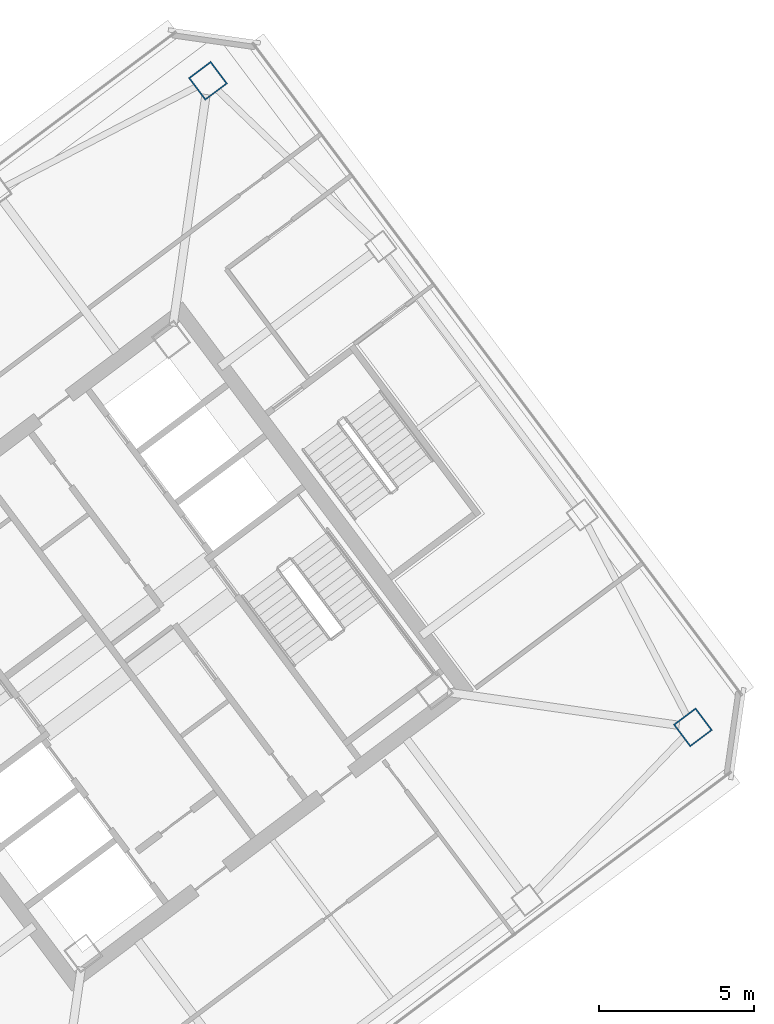
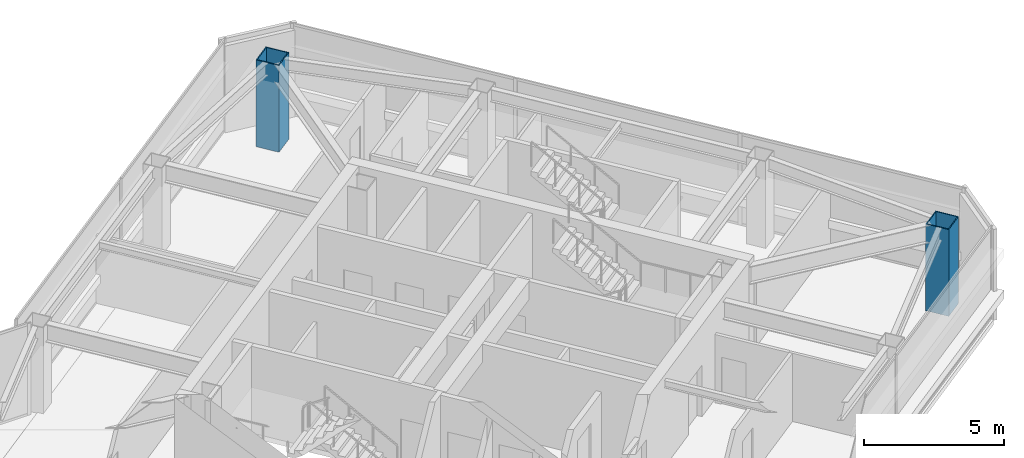
# One storey, part 2 of 51: 2 columns.
"""IFC4 building model written with IfcOpenShell, lengths in metres."""

import ifcopenshell
import ifcopenshell.guid

model = None  # the IFC model being written
_history = None  # IfcOwnerHistory: only IFC2X3 demands one
_inside = {}  # id of a spatial element -> (the spatial element, [elements in it])
_under = {}  # id of a project, library or spatial element -> (it, [spatial elements below it])
_declared = {}  # id of a project -> (the project, [libraries it declares])
_typed = {}  # id of a type object -> (the type object, [elements of that type])
_made_of = {}  # id of a material, layer set ... -> (it, [elements and type objects made of it])


def new_model(schema):
    """Start an empty IFC model of exactly this schema.

    Asked for "IFC4X3", IfcOpenShell would pick the latest addendum, in which some entities
    have other attributes; the version numbers below select the first issue.
    IFC2X3 requires an IfcOwnerHistory on every rooted entity: one is made here for all.
    """
    global model, _history
    if schema == "IFC4X3":
        model = ifcopenshell.file(schema_version=(4, 3, 0, 0))
    else:
        model = ifcopenshell.file(schema=schema)
    _inside.clear()
    _under.clear()
    _declared.clear()
    _typed.clear()
    _made_of.clear()
    _history = None
    if model.schema == "IFC2X3":
        org = make("IfcOrganization", Name="unknown")
        user = make(
            "IfcPersonAndOrganization",
            ThePerson=make("IfcPerson", FamilyName="unknown"),
            TheOrganization=org,
        )
        app = make(
            "IfcApplication",
            ApplicationDeveloper=org,
            Version="unknown",
            ApplicationFullName="unknown",
            ApplicationIdentifier="unknown",
        )
        _history = make(
            "IfcOwnerHistory",
            OwningUser=user,
            OwningApplication=app,
            ChangeAction="ADDED",
            CreationDate=0,
        )
    return model


def make(cls, **values):
    """One entity of the class cls with the attributes given. An attribute that is None is left unset."""
    return model.create_entity(
        cls, **{name: value for name, value in values.items() if value is not None}
    )


def rooted(cls, **values):
    """An entity with a GlobalId (a new one), such as an element, a storey or a relation."""
    return make(cls, GlobalId=ifcopenshell.guid.new(), OwnerHistory=_history, **values)


def si_unit(unit_type, name, prefix=None):
    """IfcSIUnit, for example si_unit("LENGTHUNIT", "METRE", prefix="MILLI")."""
    return make("IfcSIUnit", UnitType=unit_type, Prefix=prefix, Name=name)


def assignment(units):
    """IfcUnitAssignment: the units of a project."""
    return None if units is None else make("IfcUnitAssignment", Units=units)


def point(xyz):
    """IfcCartesianPoint."""
    return None if xyz is None else make("IfcCartesianPoint", Coordinates=xyz)


def direction(xyz):
    """IfcDirection."""
    return None if xyz is None else make("IfcDirection", DirectionRatios=xyz)


def frame(location, z_axis=None, x_axis=None):
    """IfcAxis2Placement3D, a coordinate frame: its origin and axes. An axis left out is left unset."""
    return make(
        "IfcAxis2Placement3D",
        Location=point(location),
        Axis=direction(z_axis),
        RefDirection=direction(x_axis),
    )


def frame_2d(location, x_axis=None):
    """IfcAxis2Placement2D, a coordinate frame in the plane: its origin and x axis."""
    return make(
        "IfcAxis2Placement2D", Location=point(location), RefDirection=direction(x_axis)
    )


def origin():
    """The frame at (0, 0, 0) with its axes left unset."""
    return frame((0.0, 0.0, 0.0))


def origin_2d():
    """The frame at (0, 0) in the plane with its x axis left unset."""
    return frame_2d((0.0, 0.0))


def place(relative_to, where):
    """IfcLocalPlacement: puts the frame where relative to a parent placement (None: the world)."""
    return make(
        "IfcLocalPlacement", PlacementRelTo=relative_to, RelativePlacement=where
    )


def context(
    kind, dimensions, precision=None, world=None, true_north=None, identifier=None
):
    """IfcGeometricRepresentationContext, for example the 3D "Model" context."""
    return make(
        "IfcGeometricRepresentationContext",
        ContextIdentifier=identifier,
        ContextType=kind,
        CoordinateSpaceDimension=dimensions,
        Precision=precision,
        WorldCoordinateSystem=world,
        TrueNorth=true_north,
    )


def subcontext(parent, identifier, kind, view, scale=None):
    """IfcGeometricRepresentationSubContext, for example "Body" below "Model"."""
    return make(
        "IfcGeometricRepresentationSubContext",
        ContextIdentifier=identifier,
        ContextType=kind,
        ParentContext=parent,
        TargetScale=scale,
        TargetView=view,
    )


def project(units=None, contexts=None):
    """IfcProject with its units and contexts."""
    return rooted(
        "IfcProject",
        Name="project",
        RepresentationContexts=contexts,
        UnitsInContext=assignment(units),
    )


def spatial(cls, under=None, at=None, **own):
    """A site, building, storey or space (cls), placed at a placement, below another one or the project."""
    s = rooted(cls, ObjectPlacement=at, **own)
    if under is not None:
        _under.setdefault(under.id(), (under, []))[1].append(s)
    return s


def profile(cls, at=None, kind="AREA", **sizes):
    """A parametric profile (cls). Its sizes go by their IFC names, for example OverallWidth=200.0."""
    return make(cls, ProfileType=kind, Position=at, **sizes)


def hollow_rectangle(**sizes):
    """IfcRectangleHollowProfileDef."""
    return profile("IfcRectangleHollowProfileDef", **sizes)


def extrude(swept, where, along, depth):
    """IfcExtrudedAreaSolid: the profile swept, set in the frame where, extruded along a direction by depth."""
    return make(
        "IfcExtrudedAreaSolid",
        SweptArea=swept,
        Position=where,
        ExtrudedDirection=direction(along),
        Depth=depth,
    )


def shape(context_of_items, identifier, shape_type, items):
    """IfcShapeRepresentation: the items that make up one representation, for example the "Body"."""
    return make(
        "IfcShapeRepresentation",
        ContextOfItems=context_of_items,
        RepresentationIdentifier=identifier,
        RepresentationType=shape_type,
        Items=items,
    )


def material(Name=None, Category=None):
    """IfcMaterial."""
    return make("IfcMaterial", Name=Name, Category=Category)


def material_profile(
    of_material, cross_section, Name=None, Category=None, Priority=None
):
    """IfcMaterialProfile: a cross section and its material."""
    return make(
        "IfcMaterialProfile",
        Name=Name,
        Material=of_material,
        Profile=cross_section,
        Priority=Priority,
        Category=Category,
    )


def profile_set(profiles, Name=None, composite=None):
    """IfcMaterialProfileSet."""
    return make(
        "IfcMaterialProfileSet",
        Name=Name,
        MaterialProfiles=profiles,
        CompositeProfile=composite,
    )


def made_of(thing, what):
    """Note that an element or type object is made of a material, layer set ...; save() writes the relation."""
    if what is not None:
        _made_of.setdefault(what.id(), (what, []))[1].append(thing)
    return thing


def type_object(cls, material=None, **own):
    """A type object (cls), such as IfcWallType, which elements share."""
    return made_of(rooted(cls, **own), material)


def element(
    cls,
    number,
    at=None,
    inside=None,
    cuts=None,
    type_object=None,
    material=None,
    context=None,
    identifier="Body",
    shape_type=None,
    held_by="IfcProductDefinitionShape",
    body=None,
    shapes=None,
    **own,
):
    """One element of the class cls, such as IfcWall. Its Tag is "e" and its number.

    at: its placement. inside: the storey or other place that contains it. cuts: it is an
    opening in that element (IfcRelVoidsElement). A single representation is given by context,
    identifier, shape_type and body (its items); several are given by shapes. held_by: the class
    of the entity that holds the representations. save() writes the other relations.
    """
    e = rooted(cls, Tag="e%d" % number, ObjectPlacement=at, **own)
    if body is not None:
        shapes = [shape(context, identifier, shape_type, body)]
    if shapes is not None:
        e.Representation = make(held_by, Representations=shapes)
    if inside is not None:
        _inside.setdefault(inside.id(), (inside, []))[1].append(e)
    if cuts is not None:
        rooted(
            "IfcRelVoidsElement", RelatingBuildingElement=cuts, RelatedOpeningElement=e
        )
    if type_object is not None:
        _typed.setdefault(type_object.id(), (type_object, []))[1].append(e)
    return made_of(e, material)


def aggregate(whole, parts):
    """IfcRelAggregates: a whole, such as a stair, and the parts it consists of."""
    return rooted("IfcRelAggregates", RelatingObject=whole, RelatedObjects=parts)


def save(model, path):
    """Write the relations noted so far, then the file.

    IfcRelAggregates (storeys below a building ...), IfcRelContainedInSpatialStructure (elements
    in a storey), IfcRelDefinesByType, IfcRelAssociatesMaterial and IfcRelDeclares: one each for
    every whole, place, type object, material and project.
    """
    for whole, parts in _under.values():
        aggregate(whole, parts)
    for where, things in _inside.values():
        rooted(
            "IfcRelContainedInSpatialStructure",
            RelatedElements=things,
            RelatingStructure=where,
        )
    for kind, things in _typed.values():
        rooted("IfcRelDefinesByType", RelatedObjects=things, RelatingType=kind)
    for what, things in _made_of.values():
        rooted("IfcRelAssociatesMaterial", RelatedObjects=things, RelatingMaterial=what)
    for by, libraries in _declared.values():
        rooted("IfcRelDeclares", RelatingContext=by, RelatedDefinitions=libraries)
    model.write(path)


model = new_model("IFC4")

# Units and contexts
model_context = context("Model", 3, precision=1e-05, world=origin(), true_north=direction((0.0, 1.0)))
body_context = subcontext(model_context, "Body", "Model", "MODEL_VIEW")
ifc_project = project(units=[si_unit("LENGTHUNIT", "METRE"), si_unit("AREAUNIT", "SQUARE_METRE"), si_unit("VOLUMEUNIT", "CUBIC_METRE"), si_unit("PLANEANGLEUNIT", "RADIAN"), si_unit("MASSUNIT", "GRAM", prefix="KILO")], contexts=[model_context])

# Site, building, storey
site_placement = place(None, origin())
site = spatial("IfcSite", under=ifc_project, at=site_placement, CompositionType="ELEMENT")
building_placement = place(site_placement, origin())
building = spatial("IfcBuilding", under=site, at=building_placement, Name="Tashvorn Skyway Center", CompositionType="ELEMENT")
storey_placement = place(building_placement, frame((0.0, 0.0, 251.39990234375)))
storey = spatial("IfcBuildingStorey", under=building, at=storey_placement, Name="L68", CompositionType="ELEMENT", Elevation=251.39990234375)

# Columns
ifc_material = material(Name="Steel ASTM A572 Grade 50", Category="steel")
ifc_material_profile = material_profile(ifc_material, hollow_rectangle(XDim=0.89990234375, YDim=0.89990234375, WallThickness=0.0400390625, at=origin_2d()), Name="BOX900x900x40")
ifc_profile_set = profile_set([ifc_material_profile], Name="Steel ASTM A572 Grade 50")
column_type = type_object("IfcColumnType", Name="COL-BOX900x900x40", PredefinedType="COLUMN", material=ifc_profile_set)
for number, where, z_axis, x_axis, name in (
    (1, (132.199951171875, 29.39990234375, 0.0), (0.0, 0.0, 1.0), (0.799999996291, 0.600000004945, 0.0), "Tower 2 L68 Mega-Column MC-SE"),
    (2, (116.60009765625, 50.199951171875, 0.0), (0.0, 0.0, 1.0), (0.799999996291, 0.600000004945, 0.0), "Tower 2 L68 Mega-Column MC-NE"),
):
    element("IfcColumn", number, at=place(storey_placement, frame(where, z_axis=z_axis, x_axis=x_axis)), inside=storey, type_object=column_type, Name=name, PredefinedType="COLUMN", context=body_context, shape_type="SweptSolid", body=[
        extrude(hollow_rectangle(XDim=0.89990234375, YDim=0.89990234375, WallThickness=0.0400390625, at=origin_2d()), origin(), (0.0, 0.0, 1.0), 3.780029296875),
    ])

save(model, "model.ifc")
